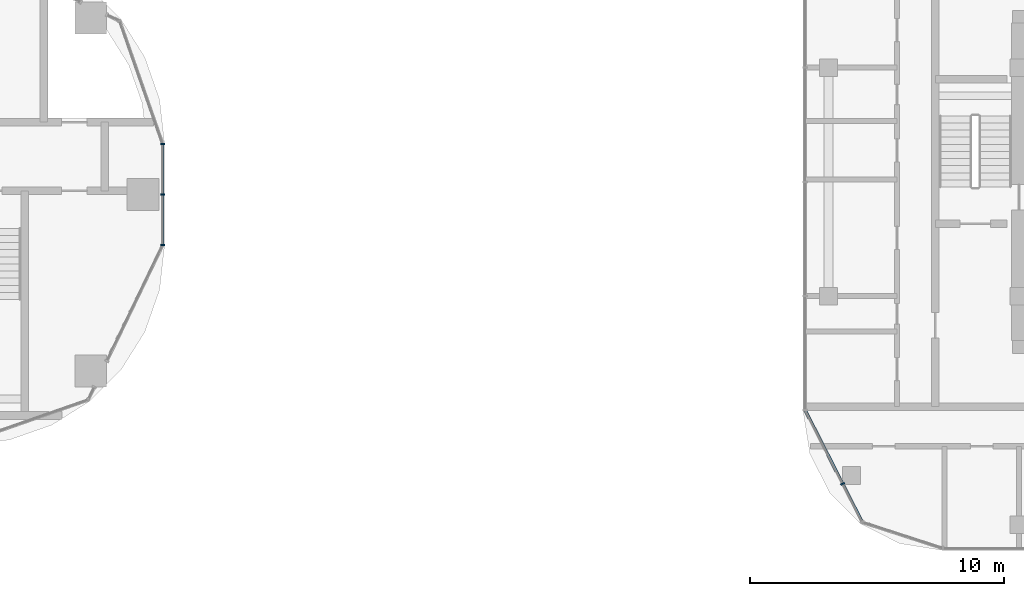
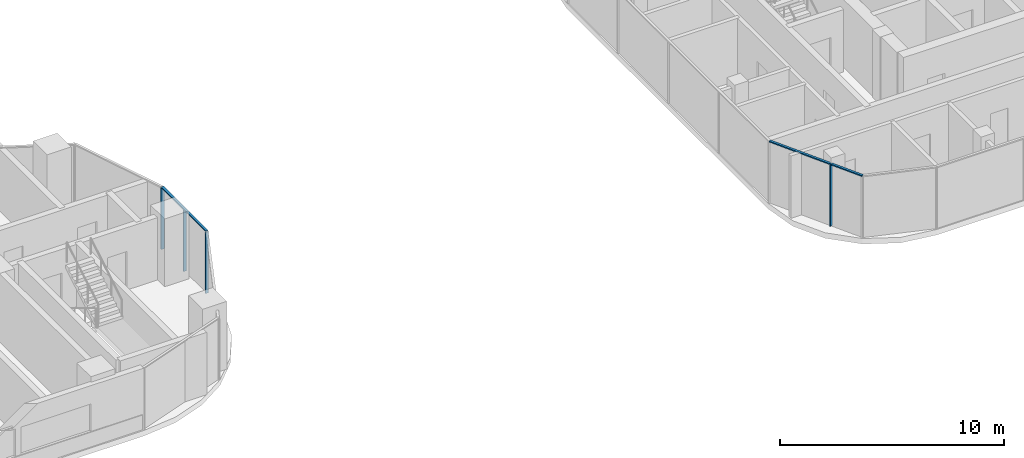
# One storey, part 7 of 35: 7 members, 3 elements without a shape of their own.
"""IFC4 building model written with IfcOpenShell, lengths in metres."""

import ifcopenshell
import ifcopenshell.guid

model = None  # the IFC model being written
_history = None  # IfcOwnerHistory: only IFC2X3 demands one
_inside = {}  # id of a spatial element -> (the spatial element, [elements in it])
_under = {}  # id of a project, library or spatial element -> (it, [spatial elements below it])
_declared = {}  # id of a project -> (the project, [libraries it declares])
_typed = {}  # id of a type object -> (the type object, [elements of that type])
_made_of = {}  # id of a material, layer set ... -> (it, [elements and type objects made of it])


def new_model(schema):
    """Start an empty IFC model of exactly this schema.

    Asked for "IFC4X3", IfcOpenShell would pick the latest addendum, in which some entities
    have other attributes; the version numbers below select the first issue.
    IFC2X3 requires an IfcOwnerHistory on every rooted entity: one is made here for all.
    """
    global model, _history
    if schema == "IFC4X3":
        model = ifcopenshell.file(schema_version=(4, 3, 0, 0))
    else:
        model = ifcopenshell.file(schema=schema)
    _inside.clear()
    _under.clear()
    _declared.clear()
    _typed.clear()
    _made_of.clear()
    _history = None
    if model.schema == "IFC2X3":
        org = make("IfcOrganization", Name="unknown")
        user = make(
            "IfcPersonAndOrganization",
            ThePerson=make("IfcPerson", FamilyName="unknown"),
            TheOrganization=org,
        )
        app = make(
            "IfcApplication",
            ApplicationDeveloper=org,
            Version="unknown",
            ApplicationFullName="unknown",
            ApplicationIdentifier="unknown",
        )
        _history = make(
            "IfcOwnerHistory",
            OwningUser=user,
            OwningApplication=app,
            ChangeAction="ADDED",
            CreationDate=0,
        )
    return model


def make(cls, **values):
    """One entity of the class cls with the attributes given. An attribute that is None is left unset."""
    return model.create_entity(
        cls, **{name: value for name, value in values.items() if value is not None}
    )


def rooted(cls, **values):
    """An entity with a GlobalId (a new one), such as an element, a storey or a relation."""
    return make(cls, GlobalId=ifcopenshell.guid.new(), OwnerHistory=_history, **values)


def si_unit(unit_type, name, prefix=None):
    """IfcSIUnit, for example si_unit("LENGTHUNIT", "METRE", prefix="MILLI")."""
    return make("IfcSIUnit", UnitType=unit_type, Prefix=prefix, Name=name)


def assignment(units):
    """IfcUnitAssignment: the units of a project."""
    return None if units is None else make("IfcUnitAssignment", Units=units)


def point(xyz):
    """IfcCartesianPoint."""
    return None if xyz is None else make("IfcCartesianPoint", Coordinates=xyz)


def direction(xyz):
    """IfcDirection."""
    return None if xyz is None else make("IfcDirection", DirectionRatios=xyz)


def frame(location, z_axis=None, x_axis=None):
    """IfcAxis2Placement3D, a coordinate frame: its origin and axes. An axis left out is left unset."""
    return make(
        "IfcAxis2Placement3D",
        Location=point(location),
        Axis=direction(z_axis),
        RefDirection=direction(x_axis),
    )


def frame_2d(location, x_axis=None):
    """IfcAxis2Placement2D, a coordinate frame in the plane: its origin and x axis."""
    return make(
        "IfcAxis2Placement2D", Location=point(location), RefDirection=direction(x_axis)
    )


def origin():
    """The frame at (0, 0, 0) with its axes left unset."""
    return frame((0.0, 0.0, 0.0))


def origin_2d():
    """The frame at (0, 0) in the plane with its x axis left unset."""
    return frame_2d((0.0, 0.0))


def place(relative_to, where):
    """IfcLocalPlacement: puts the frame where relative to a parent placement (None: the world)."""
    return make(
        "IfcLocalPlacement", PlacementRelTo=relative_to, RelativePlacement=where
    )


def context(
    kind, dimensions, precision=None, world=None, true_north=None, identifier=None
):
    """IfcGeometricRepresentationContext, for example the 3D "Model" context."""
    return make(
        "IfcGeometricRepresentationContext",
        ContextIdentifier=identifier,
        ContextType=kind,
        CoordinateSpaceDimension=dimensions,
        Precision=precision,
        WorldCoordinateSystem=world,
        TrueNorth=true_north,
    )


def subcontext(parent, identifier, kind, view, scale=None):
    """IfcGeometricRepresentationSubContext, for example "Body" below "Model"."""
    return make(
        "IfcGeometricRepresentationSubContext",
        ContextIdentifier=identifier,
        ContextType=kind,
        ParentContext=parent,
        TargetScale=scale,
        TargetView=view,
    )


def project(units=None, contexts=None):
    """IfcProject with its units and contexts."""
    return rooted(
        "IfcProject",
        Name="project",
        RepresentationContexts=contexts,
        UnitsInContext=assignment(units),
    )


def spatial(cls, under=None, at=None, **own):
    """A site, building, storey or space (cls), placed at a placement, below another one or the project."""
    s = rooted(cls, ObjectPlacement=at, **own)
    if under is not None:
        _under.setdefault(under.id(), (under, []))[1].append(s)
    return s


def profile(cls, at=None, kind="AREA", **sizes):
    """A parametric profile (cls). Its sizes go by their IFC names, for example OverallWidth=200.0."""
    return make(cls, ProfileType=kind, Position=at, **sizes)


def rectangle(**sizes):
    """IfcRectangleProfileDef."""
    return profile("IfcRectangleProfileDef", **sizes)


def extrude(swept, where, along, depth):
    """IfcExtrudedAreaSolid: the profile swept, set in the frame where, extruded along a direction by depth."""
    return make(
        "IfcExtrudedAreaSolid",
        SweptArea=swept,
        Position=where,
        ExtrudedDirection=direction(along),
        Depth=depth,
    )


def shape(context_of_items, identifier, shape_type, items):
    """IfcShapeRepresentation: the items that make up one representation, for example the "Body"."""
    return make(
        "IfcShapeRepresentation",
        ContextOfItems=context_of_items,
        RepresentationIdentifier=identifier,
        RepresentationType=shape_type,
        Items=items,
    )


def material(Name=None, Category=None):
    """IfcMaterial."""
    return make("IfcMaterial", Name=Name, Category=Category)


def material_profile(
    of_material, cross_section, Name=None, Category=None, Priority=None
):
    """IfcMaterialProfile: a cross section and its material."""
    return make(
        "IfcMaterialProfile",
        Name=Name,
        Material=of_material,
        Profile=cross_section,
        Priority=Priority,
        Category=Category,
    )


def profile_set(profiles, Name=None, composite=None):
    """IfcMaterialProfileSet."""
    return make(
        "IfcMaterialProfileSet",
        Name=Name,
        MaterialProfiles=profiles,
        CompositeProfile=composite,
    )


def made_of(thing, what):
    """Note that an element or type object is made of a material, layer set ...; save() writes the relation."""
    if what is not None:
        _made_of.setdefault(what.id(), (what, []))[1].append(thing)
    return thing


def type_object(cls, material=None, **own):
    """A type object (cls), such as IfcWallType, which elements share."""
    return made_of(rooted(cls, **own), material)


def element(
    cls,
    number,
    at=None,
    inside=None,
    cuts=None,
    type_object=None,
    material=None,
    context=None,
    identifier="Body",
    shape_type=None,
    held_by="IfcProductDefinitionShape",
    body=None,
    shapes=None,
    **own,
):
    """One element of the class cls, such as IfcWall. Its Tag is "e" and its number.

    at: its placement. inside: the storey or other place that contains it. cuts: it is an
    opening in that element (IfcRelVoidsElement). A single representation is given by context,
    identifier, shape_type and body (its items); several are given by shapes. held_by: the class
    of the entity that holds the representations. save() writes the other relations.
    """
    e = rooted(cls, Tag="e%d" % number, ObjectPlacement=at, **own)
    if body is not None:
        shapes = [shape(context, identifier, shape_type, body)]
    if shapes is not None:
        e.Representation = make(held_by, Representations=shapes)
    if inside is not None:
        _inside.setdefault(inside.id(), (inside, []))[1].append(e)
    if cuts is not None:
        rooted(
            "IfcRelVoidsElement", RelatingBuildingElement=cuts, RelatedOpeningElement=e
        )
    if type_object is not None:
        _typed.setdefault(type_object.id(), (type_object, []))[1].append(e)
    return made_of(e, material)


def aggregate(whole, parts):
    """IfcRelAggregates: a whole, such as a stair, and the parts it consists of."""
    return rooted("IfcRelAggregates", RelatingObject=whole, RelatedObjects=parts)


def save(model, path):
    """Write the relations noted so far, then the file.

    IfcRelAggregates (storeys below a building ...), IfcRelContainedInSpatialStructure (elements
    in a storey), IfcRelDefinesByType, IfcRelAssociatesMaterial and IfcRelDeclares: one each for
    every whole, place, type object, material and project.
    """
    for whole, parts in _under.values():
        aggregate(whole, parts)
    for where, things in _inside.values():
        rooted(
            "IfcRelContainedInSpatialStructure",
            RelatedElements=things,
            RelatingStructure=where,
        )
    for kind, things in _typed.values():
        rooted("IfcRelDefinesByType", RelatedObjects=things, RelatingType=kind)
    for what, things in _made_of.values():
        rooted("IfcRelAssociatesMaterial", RelatedObjects=things, RelatingMaterial=what)
    for by, libraries in _declared.values():
        rooted("IfcRelDeclares", RelatingContext=by, RelatedDefinitions=libraries)
    model.write(path)


model = new_model("IFC4")

# Units and contexts
model_context = context("Model", 3, precision=1e-05, world=origin(), true_north=direction((0.0, 1.0)))
body_context = subcontext(model_context, "Body", "Model", "MODEL_VIEW")
ifc_project = project(units=[si_unit("LENGTHUNIT", "METRE"), si_unit("AREAUNIT", "SQUARE_METRE"), si_unit("VOLUMEUNIT", "CUBIC_METRE"), si_unit("PLANEANGLEUNIT", "RADIAN"), si_unit("MASSUNIT", "GRAM", prefix="KILO")], contexts=[model_context])

# Site, building, storey
site_placement = place(None, origin())
site = spatial("IfcSite", under=ifc_project, at=site_placement, CompositionType="ELEMENT")
building_placement = place(site_placement, origin())
building = spatial("IfcBuilding", under=site, at=building_placement, Name="Ogive Portal Towers", CompositionType="ELEMENT")
storey_placement = place(building_placement, frame((0.0, 0.0, 94.5)))
storey = spatial("IfcBuildingStorey", under=building, at=storey_placement, Name="L22", CompositionType="ELEMENT", Elevation=94.5)

# Curtain wall, members
ifc_material_1 = material(Name="Glass, clear low-iron insulated glazing", Category="glass")
curtain_wall_type_1 = type_object("IfcCurtainWallType", Name="CW FRONT RIBBON 4500", PredefinedType="NOTDEFINED", material=ifc_material_1)
curtain_wall_1_placement = place(storey_placement, origin())
curtain_wall_1 = element("IfcCurtainWall", 1, at=curtain_wall_1_placement, inside=storey, type_object=curtain_wall_type_1, Name="A:L22:f08:cw0", PredefinedType="NOTDEFINED")
ifc_material_2 = material(Name="Aluminium 6063 anodised", Category="aluminium")
ifc_material_profile_1 = material_profile(ifc_material_2, rectangle(XDim=0.159912109375, YDim=0.06005859375, at=origin_2d()), Name="AL 60x160")
ifc_profile_set_1 = profile_set([ifc_material_profile_1], Name="Aluminium 6063 anodised")
member_type_1 = type_object("IfcMemberType", Name="CW MULLION 60x160", PredefinedType="MULLION", material=ifc_profile_set_1)
member_1_placement = place(storey_placement, frame((95.27490234375, 28.518310546875, 0.0), z_axis=(0.0, 0.0, 1.0), x_axis=(-1.0, 0.0, 0.0)))
member_1 = element("IfcMember", 2, at=member_1_placement, type_object=member_type_1, Name="mullion", PredefinedType="MULLION", context=body_context, shape_type="SweptSolid", body=[
    extrude(rectangle(XDim=0.159912109375, YDim=0.06005859375, at=origin_2d()), origin(), (0.0, 0.0, 1.0), 3.340087890625),
])
member_2_placement = place(storey_placement, frame((95.27490234375, 30.5, 0.0), z_axis=(0.0, 0.0, 1.0), x_axis=(-1.0, 0.0, 0.0)))
member_2 = element("IfcMember", 3, at=member_2_placement, type_object=member_type_1, Name="mullion", PredefinedType="MULLION", context=body_context, shape_type="SweptSolid", body=[
    extrude(rectangle(XDim=0.159912109375, YDim=0.06005859375, at=origin_2d()), origin(), (0.0, 0.0, 1.0), 3.340087890625),
])
member_3_placement = place(storey_placement, frame((95.27490234375, 32.486328125, 0.0), z_axis=(0.0, 0.0, 1.0), x_axis=(-1.0, 0.0, 0.0)))
member_3 = element("IfcMember", 4, at=member_3_placement, type_object=member_type_1, Name="mullion", PredefinedType="MULLION", context=body_context, shape_type="SweptSolid", body=[
    extrude(rectangle(XDim=0.159912109375, YDim=0.06005859375, at=origin_2d()), origin(), (0.0, 0.0, 1.0), 3.340087890625),
])

# Curtain wall, member
curtain_wall_type_2 = type_object("IfcCurtainWallType", Name="CW RESIDENCES RIBBON", PredefinedType="NOTDEFINED", material=ifc_material_1)
curtain_wall_2_placement = place(storey_placement, origin())
curtain_wall_2 = element("IfcCurtainWall", 5, at=curtain_wall_2_placement, inside=storey, type_object=curtain_wall_type_2, Name="B:L22:f00:cwa~0", PredefinedType="NOTDEFINED")
member_4_placement = place(storey_placement, frame((122.051025390625, 19.112548828125, 0.0), z_axis=(0.0, 0.0, 1.0), x_axis=(0.891006524188, 0.45399049974, 0.0)))
member_4 = element("IfcMember", 6, at=member_4_placement, type_object=member_type_1, Name="mullion", PredefinedType="MULLION", context=body_context, shape_type="SweptSolid", body=[
    extrude(rectangle(XDim=0.159912109375, YDim=0.06005859375, at=origin_2d()), origin(), (0.0, 0.0, 1.0), 3.340087890625),
])

# Member
ifc_material_profile_2 = material_profile(ifc_material_2, rectangle(XDim=0.1201171875, YDim=0.06005859375, at=origin_2d()), Name="AL 120x60")
ifc_profile_set_2 = profile_set([ifc_material_profile_2], Name="Aluminium 6063 anodised")
member_type_2 = type_object("IfcMemberType", Name="CW TRANSOM 60x120", PredefinedType="USERDEFINED", material=ifc_profile_set_2)
member_5_placement = place(storey_placement, frame((95.27490234375, 28.518310546875, 3.3701171875), z_axis=(0.0, 1.0, 0.0), x_axis=(-1.0, 0.0, 0.0)))
member_5 = element("IfcMember", 7, at=member_5_placement, type_object=member_type_2, Name="transom", ObjectType="TRANSOM", PredefinedType="USERDEFINED", context=body_context, shape_type="SweptSolid", body=[
    extrude(rectangle(XDim=0.1201171875, YDim=0.06005859375, at=origin_2d()), origin(), (0.0, 0.0, 1.0), 3.968017578125),
])

aggregate(curtain_wall_1, [member_5, member_1, member_2, member_3])

member_6_placement = place(storey_placement, frame((120.570068359375, 22.019287109375, 3.3701171875), z_axis=(0.453966140065, -0.891018935643, 0.0), x_axis=(0.891018935643, 0.453966140065, 0.0)))
member_6 = element("IfcMember", 8, at=member_6_placement, type_object=member_type_2, Name="transom", ObjectType="TRANSOM", PredefinedType="USERDEFINED", context=body_context, shape_type="SweptSolid", body=[
    extrude(rectangle(XDim=0.1201171875, YDim=0.06005859375, at=origin_2d()), origin(), (0.0, 0.0, 1.0), 3.26220703125),
])

aggregate(curtain_wall_2, [member_6, member_4])

# Curtain wall, member
curtain_wall_3_placement = place(storey_placement, origin())
curtain_wall_3 = element("IfcCurtainWall", 9, at=curtain_wall_3_placement, inside=storey, type_object=curtain_wall_type_2, Name="B:L22:f00:cwa~1", PredefinedType="NOTDEFINED")
member_7_placement = place(storey_placement, frame((122.0615234375, 19.092041015625, 3.3701171875), z_axis=(0.45400264024, -0.89100033819, 0.0), x_axis=(0.89100033819, 0.45400264024, 0.0)))
member_7 = element("IfcMember", 10, at=member_7_placement, type_object=member_type_2, Name="transom", ObjectType="TRANSOM", PredefinedType="USERDEFINED", context=body_context, shape_type="SweptSolid", body=[
    extrude(rectangle(XDim=0.1201171875, YDim=0.06005859375, at=origin_2d()), origin(), (0.0, 0.0, 1.0), 1.66552734375),
])
aggregate(curtain_wall_3, [member_7])

save(model, "model.ifc")
